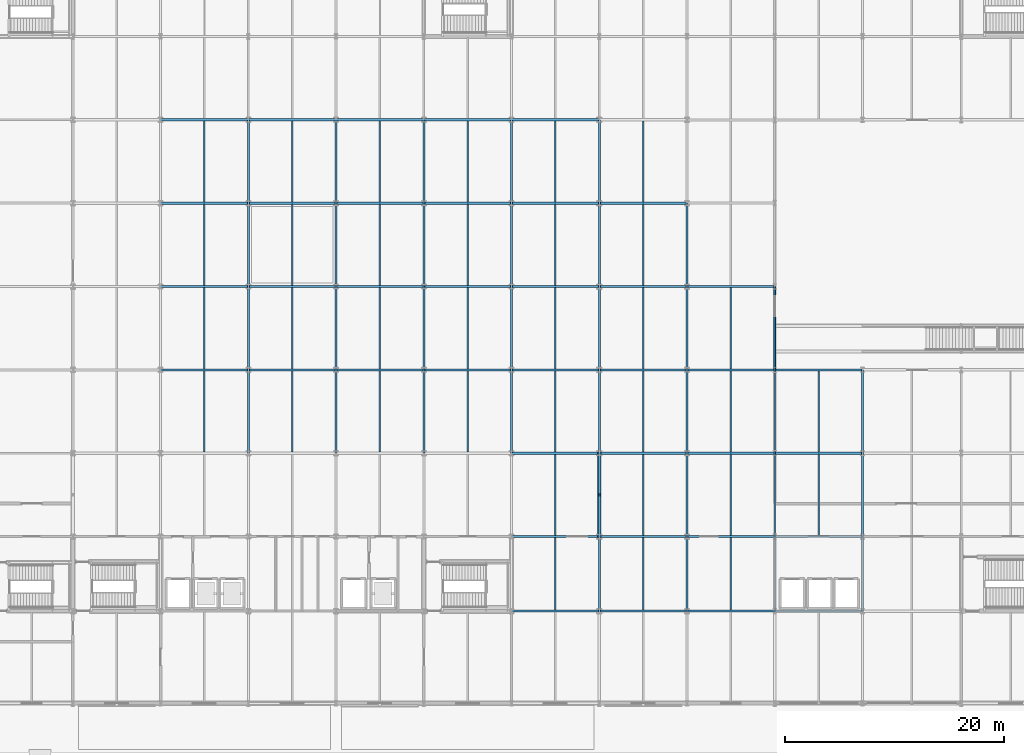
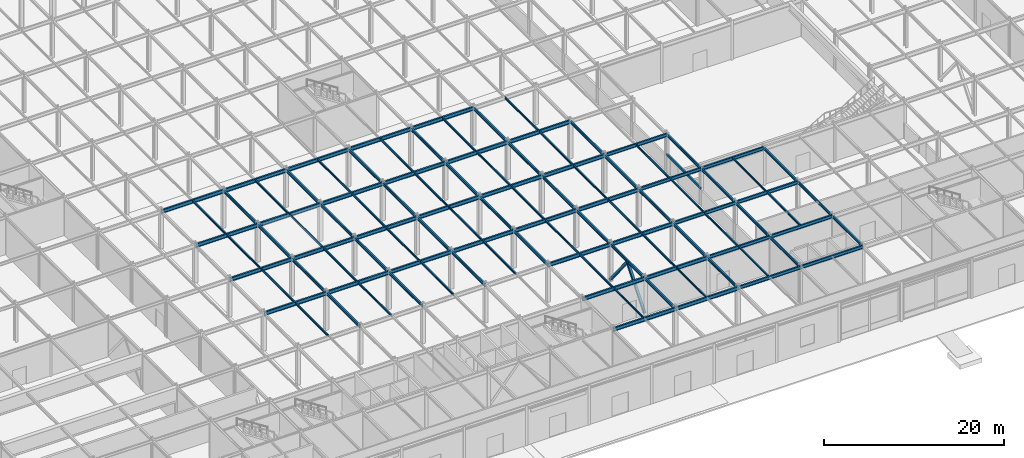
# One storey, part 27 of 89: 107 beams, 2 members.
"""IFC4 building model written with IfcOpenShell, lengths in metres."""

from ifc_helpers import new_model, si_unit, direction, frame, origin, origin_2d, place, context, subcontext, project, spatial, hollow_rectangle, i_section, extrude, material, material_profile, profile_set, type_object, element, save


model = new_model("IFC4")

# Units and contexts
model_context = context("Model", 3, precision=1e-05, world=origin(), true_north=direction((0.0, 1.0)))
body_context = subcontext(model_context, "Body", "Model", "MODEL_VIEW")
ifc_project = project(units=[si_unit("LENGTHUNIT", "METRE"), si_unit("AREAUNIT", "SQUARE_METRE"), si_unit("VOLUMEUNIT", "CUBIC_METRE"), si_unit("PLANEANGLEUNIT", "RADIAN"), si_unit("MASSUNIT", "GRAM", prefix="KILO")], contexts=[model_context])

# Site, building, storey
site_placement = place(None, origin())
site = spatial("IfcSite", under=ifc_project, at=site_placement, CompositionType="ELEMENT")
building_placement = place(site_placement, origin())
building = spatial("IfcBuilding", under=site, at=building_placement, Name="Shalkamar Park Central Library", CompositionType="ELEMENT")
storey_placement = place(building_placement, origin())
storey = spatial("IfcBuildingStorey", under=building, at=storey_placement, Name="L01", CompositionType="ELEMENT", Elevation=0.0)

# Beams
ifc_material = material(Name="Steel S355", Category="steel")
ifc_material_profile_1 = material_profile(ifc_material, i_section(OverallWidth=0.1201171875, OverallDepth=0.239990234375, WebThickness=0.006103515625, FlangeThickness=0.009765625, FilletRadius=0.014892578125, at=origin_2d()), Name="IPE 240")
ifc_profile_set_1 = profile_set([ifc_material_profile_1], Name="Steel S355")
beam_type_1 = type_object("IfcBeamType", Name="Composite Floor Joist IPE240", PredefinedType="JOIST", material=ifc_profile_set_1)
for number, where, z_axis, x_axis, name in (
    (1, (209.0, 248.498046875, 5.02001953125), (0.0, 1.0, 0.0), (-1.0, 0.0, 0.0), "Composite Joist 12/B-1 (L01)"),
    (2, (217.0, 248.498046875, 5.02001953125), (0.0, 1.0, 0.0), (-1.0, 0.0, 0.0), "Composite Joist 13/B-1 (L01)"),
):
    element("IfcBeam", number, at=place(storey_placement, frame(where, z_axis=z_axis, x_axis=x_axis)), inside=storey, type_object=beam_type_1, Name=name, PredefinedType="JOIST", context=body_context, shape_type="SweptSolid", body=[
        extrude(i_section(OverallWidth=0.1201171875, OverallDepth=0.239990234375, WebThickness=0.006103515625, FlangeThickness=0.009765625, FilletRadius=0.014892578125, at=origin_2d()), origin(), (0.0, 0.0, 1.0), 6.60400390625),
    ])
beam_1_placement = place(storey_placement, frame((225.0, 248.492919921875, 5.02001953125), z_axis=(0.0, 1.0, 0.0), x_axis=(-1.0, 0.0, 0.0)))
element("IfcBeam", 3, at=beam_1_placement, inside=storey, type_object=beam_type_1, Name="Composite Joist 14/B-1 (L01)", PredefinedType="JOIST", context=body_context, shape_type="SweptSolid", body=[
    extrude(i_section(OverallWidth=0.1201171875, OverallDepth=0.239990234375, WebThickness=0.006103515625, FlangeThickness=0.009765625, FilletRadius=0.014892578125, at=origin_2d()), origin(), (0.0, 0.0, 1.0), 6.614013671875),
])
for number, where, z_axis, x_axis, name in (
    (4, (225.0, 262.89306640625, 5.02001953125), (0.0, 1.0, 0.0), (-1.0, 0.0, 0.0), "Composite Joist 14/D-1 (L01)"),
    (5, (233.0, 262.89306640625, 5.02001953125), (0.0, 1.0, 0.0), (-1.0, 0.0, 0.0), "Composite Joist 15/D-1 (L01)"),
):
    element("IfcBeam", number, at=place(storey_placement, frame(where, z_axis=z_axis, x_axis=x_axis)), inside=storey, type_object=beam_type_1, Name=name, PredefinedType="JOIST", context=body_context, shape_type="SweptSolid", body=[
        extrude(i_section(OverallWidth=0.1201171875, OverallDepth=0.239990234375, WebThickness=0.006103515625, FlangeThickness=0.009765625, FilletRadius=0.014892578125, at=origin_2d()), origin(), (0.0, 0.0, 1.0), 7.413818359375),
    ])
ifc_material_profile_2 = material_profile(ifc_material, i_section(OverallWidth=0.135009765625, OverallDepth=0.27001953125, WebThickness=0.006591796875, FlangeThickness=0.01025390625, FilletRadius=0.014892578125, at=origin_2d()), Name="IPE 270")
ifc_profile_set_2 = profile_set([ifc_material_profile_2], Name="Steel S355")
beam_type_2 = type_object("IfcBeamType", Name="Composite Floor Joist IPE270", PredefinedType="JOIST", material=ifc_profile_set_2)
for number, where, z_axis, x_axis, name in (
    (6, (177.0, 262.89794921875, 5.0048828125), (0.0, 1.0, 0.0), (-1.0, 0.0, 0.0), "Composite Joist 08/D-1 (L01)"),
    (7, (177.0, 270.498046875, 5.0048828125), (0.0, 1.0, 0.0), (-1.0, 0.0, 0.0), "Composite Joist 08/E-1 (L01)"),
    (8, (177.0, 278.097900390625, 5.0048828125), (0.0, 1.0, 0.0), (-1.0, 0.0, 0.0), "Composite Joist 08/F-1 (L01)"),
    (9, (177.0, 285.697998046875, 5.0048828125), (0.0, 1.0, 0.0), (-1.0, 0.0, 0.0), "Composite Joist 08/G-1 (L01)"),
    (10, (185.0, 262.89794921875, 5.0048828125), (0.0, 1.0, 0.0), (-1.0, 0.0, 0.0), "Composite Joist 09/D-1 (L01)"),
    (11, (185.0, 270.498046875, 5.0048828125), (0.0, 1.0, 0.0), (-1.0, 0.0, 0.0), "Composite Joist 09/E-1 (L01)"),
    (12, (185.0, 278.097900390625, 5.0048828125), (0.0, 1.0, 0.0), (-1.0, 0.0, 0.0), "Composite Joist 09/F-1 (L01)"),
    (13, (185.0, 285.697998046875, 5.0048828125), (0.0, 1.0, 0.0), (-1.0, 0.0, 0.0), "Composite Joist 09/G-1 (L01)"),
    (14, (193.0, 262.89794921875, 5.0048828125), (0.0, 1.0, 0.0), (-1.0, 0.0, 0.0), "Composite Joist 10/D-1 (L01)"),
    (15, (193.0, 270.498046875, 5.0048828125), (0.0, 1.0, 0.0), (-1.0, 0.0, 0.0), "Composite Joist 10/E-1 (L01)"),
    (16, (193.0, 278.097900390625, 5.0048828125), (0.0, 1.0, 0.0), (-1.0, 0.0, 0.0), "Composite Joist 10/F-1 (L01)"),
    (17, (193.0, 285.697998046875, 5.0048828125), (0.0, 1.0, 0.0), (-1.0, 0.0, 0.0), "Composite Joist 10/G-1 (L01)"),
    (18, (201.0, 262.89794921875, 5.0048828125), (0.0, 1.0, 0.0), (-1.0, 0.0, 0.0), "Composite Joist 11/D-1 (L01)"),
    (19, (201.0, 270.498046875, 5.0048828125), (0.0, 1.0, 0.0), (-1.0, 0.0, 0.0), "Composite Joist 11/E-1 (L01)"),
    (20, (201.0, 278.097900390625, 5.0048828125), (0.0, 1.0, 0.0), (-1.0, 0.0, 0.0), "Composite Joist 11/F-1 (L01)"),
    (21, (201.0, 285.697998046875, 5.0048828125), (0.0, 1.0, 0.0), (-1.0, 0.0, 0.0), "Composite Joist 11/G-1 (L01)"),
):
    element("IfcBeam", number, at=place(storey_placement, frame(where, z_axis=z_axis, x_axis=x_axis)), inside=storey, type_object=beam_type_2, Name=name, PredefinedType="JOIST", context=body_context, shape_type="SweptSolid", body=[
        extrude(i_section(OverallWidth=0.135009765625, OverallDepth=0.27001953125, WebThickness=0.006591796875, FlangeThickness=0.01025390625, FilletRadius=0.014892578125, at=origin_2d()), origin(), (0.0, 0.0, 1.0), 7.404052734375),
    ])
beam_2_placement = place(storey_placement, frame((209.0, 255.298095703125, 5.0048828125), z_axis=(0.0, 1.0, 0.0), x_axis=(-1.0, 0.0, 0.0)))
element("IfcBeam", 22, at=beam_2_placement, inside=storey, type_object=beam_type_2, Name="Composite Joist 12/C-1 (L01)", PredefinedType="JOIST", context=body_context, shape_type="SweptSolid", body=[
    extrude(i_section(OverallWidth=0.135009765625, OverallDepth=0.27001953125, WebThickness=0.006591796875, FlangeThickness=0.01025390625, FilletRadius=0.014892578125, at=origin_2d()), origin(), (0.0, 0.0, 1.0), 7.40380859375),
])
for number, where, z_axis, x_axis, name in (
    (23, (209.0, 262.89794921875, 5.0048828125), (0.0, 1.0, 0.0), (-1.0, 0.0, 0.0), "Composite Joist 12/D-1 (L01)"),
    (24, (209.0, 270.498046875, 5.0048828125), (0.0, 1.0, 0.0), (-1.0, 0.0, 0.0), "Composite Joist 12/E-1 (L01)"),
    (25, (209.0, 278.097900390625, 5.0048828125), (0.0, 1.0, 0.0), (-1.0, 0.0, 0.0), "Composite Joist 12/F-1 (L01)"),
    (26, (209.0, 285.697998046875, 5.0048828125), (0.0, 1.0, 0.0), (-1.0, 0.0, 0.0), "Composite Joist 12/G-1 (L01)"),
):
    element("IfcBeam", number, at=place(storey_placement, frame(where, z_axis=z_axis, x_axis=x_axis)), inside=storey, type_object=beam_type_2, Name=name, PredefinedType="JOIST", context=body_context, shape_type="SweptSolid", body=[
        extrude(i_section(OverallWidth=0.135009765625, OverallDepth=0.27001953125, WebThickness=0.006591796875, FlangeThickness=0.01025390625, FilletRadius=0.014892578125, at=origin_2d()), origin(), (0.0, 0.0, 1.0), 7.404052734375),
    ])
beam_3_placement = place(storey_placement, frame((217.0, 255.298095703125, 5.0048828125), z_axis=(0.0, 1.0, 0.0), x_axis=(-1.0, 0.0, 0.0)))
element("IfcBeam", 27, at=beam_3_placement, inside=storey, type_object=beam_type_2, Name="Composite Joist 13/C-1 (L01)", PredefinedType="JOIST", context=body_context, shape_type="SweptSolid", body=[
    extrude(i_section(OverallWidth=0.135009765625, OverallDepth=0.27001953125, WebThickness=0.006591796875, FlangeThickness=0.01025390625, FilletRadius=0.014892578125, at=origin_2d()), origin(), (0.0, 0.0, 1.0), 7.40380859375),
])
for number, where, z_axis, x_axis, name in (
    (28, (217.0, 262.89794921875, 5.0048828125), (0.0, 1.0, 0.0), (-1.0, 0.0, 0.0), "Composite Joist 13/D-1 (L01)"),
    (29, (217.0, 270.498046875, 5.0048828125), (0.0, 1.0, 0.0), (-1.0, 0.0, 0.0), "Composite Joist 13/E-1 (L01)"),
    (30, (217.0, 278.097900390625, 5.0048828125), (0.0, 1.0, 0.0), (-1.0, 0.0, 0.0), "Composite Joist 13/F-1 (L01)"),
    (31, (217.0, 285.697998046875, 5.0048828125), (0.0, 1.0, 0.0), (-1.0, 0.0, 0.0), "Composite Joist 13/G-1 (L01)"),
):
    element("IfcBeam", number, at=place(storey_placement, frame(where, z_axis=z_axis, x_axis=x_axis)), inside=storey, type_object=beam_type_2, Name=name, PredefinedType="JOIST", context=body_context, shape_type="SweptSolid", body=[
        extrude(i_section(OverallWidth=0.135009765625, OverallDepth=0.27001953125, WebThickness=0.006591796875, FlangeThickness=0.01025390625, FilletRadius=0.014892578125, at=origin_2d()), origin(), (0.0, 0.0, 1.0), 7.404052734375),
    ])
for number, where, z_axis, x_axis, name in (
    (32, (225.0, 255.29296875, 5.0048828125), (0.0, 1.0, 0.0), (-1.0, 0.0, 0.0), "Composite Joist 14/C-1 (L01)"),
    (33, (225.0, 270.492919921875, 5.0048828125), (0.0, 1.0, 0.0), (-1.0, 0.0, 0.0), "Composite Joist 14/E-1 (L01)"),
    (34, (233.0, 255.29296875, 5.0048828125), (0.0, 1.0, 0.0), (-1.0, 0.0, 0.0), "Composite Joist 15/C-1 (L01)"),
):
    element("IfcBeam", number, at=place(storey_placement, frame(where, z_axis=z_axis, x_axis=x_axis)), inside=storey, type_object=beam_type_2, Name=name, PredefinedType="JOIST", context=body_context, shape_type="SweptSolid", body=[
        extrude(i_section(OverallWidth=0.135009765625, OverallDepth=0.27001953125, WebThickness=0.006591796875, FlangeThickness=0.01025390625, FilletRadius=0.014892578125, at=origin_2d()), origin(), (0.0, 0.0, 1.0), 7.4140625),
    ])

# Members
ifc_material_profile_3 = material_profile(ifc_material, hollow_rectangle(XDim=0.300048828125, YDim=0.300048828125, WallThickness=0.01611328125, InnerFilletRadius=0.01611328125, OuterFilletRadius=0.02392578125, at=origin_2d()), Name="SHS 300x300x16")
ifc_profile_set_3 = profile_set([ifc_material_profile_3], Name="Steel S355")
member_type = type_object("IfcMemberType", Name="Diagonal Brace SHS300", PredefinedType="BRACE", material=ifc_profile_set_3)
for number, where, z_axis, x_axis, name in (
    (35, (213.0, 255.199951171875, 0.14990234375), (0.0, 0.62952162091, 0.776982965583), (-1.0, 0.0, 0.0), "Chevron Brace TW-E Leg A (L01)"),
    (36, (213.0, 262.800048828125, 0.14990234375), (0.0, -0.62952162091, 0.776982965583), (1.0, 0.0, 0.0), "Chevron Brace TW-E Leg B (L01)"),
):
    element("IfcMember", number, at=place(storey_placement, frame(where, z_axis=z_axis, x_axis=x_axis)), inside=storey, type_object=member_type, Name=name, PredefinedType="BRACE", context=body_context, shape_type="SweptSolid", body=[
        extrude(hollow_rectangle(XDim=0.300048828125, YDim=0.300048828125, WallThickness=0.01611328125, InnerFilletRadius=0.01611328125, OuterFilletRadius=0.02392578125, at=origin_2d()), origin(), (0.0, 0.0, 1.0), 6.036376953125),
    ])

# Beams
ifc_material_profile_4 = material_profile(ifc_material, i_section(OverallWidth=0.169921875, OverallDepth=0.360107421875, WebThickness=0.008056640625, FlangeThickness=0.0126953125, FilletRadius=0.01806640625, at=origin_2d()), Name="IPE 360")
ifc_profile_set_4 = profile_set([ifc_material_profile_4], Name="Steel S355")
beam_type_3 = type_object("IfcBeamType", Name="Primary Girder IPE360", PredefinedType="BEAM", material=ifc_profile_set_4)
beam_4_placement = place(storey_placement, frame((229.0, 248.39990234375, 4.9599609375), z_axis=(0.0, 1.0, 0.0), x_axis=(-1.0, 0.0, 0.0)))
element("IfcBeam", 37, at=beam_4_placement, inside=storey, type_object=beam_type_3, Name="Beam 15:B-C (L01)", PredefinedType="BEAM", context=body_context, shape_type="SweptSolid", body=[
    extrude(i_section(OverallWidth=0.169921875, OverallDepth=0.360107421875, WebThickness=0.008056640625, FlangeThickness=0.0126953125, FilletRadius=0.01806640625, at=origin_2d()), origin(), (0.0, 0.0, 1.0), 6.800048828125),
])
beam_5_placement = place(storey_placement, frame((229.0, 255.199951171875, 4.9599609375), z_axis=(0.0, 1.0, 0.0), x_axis=(-1.0, 0.0, 0.0)))
element("IfcBeam", 38, at=beam_5_placement, inside=storey, type_object=beam_type_3, Name="Beam 15:C-D (L01)", PredefinedType="BEAM", context=body_context, shape_type="SweptSolid", body=[
    extrude(i_section(OverallWidth=0.169921875, OverallDepth=0.360107421875, WebThickness=0.008056640625, FlangeThickness=0.0126953125, FilletRadius=0.01806640625, at=origin_2d()), origin(), (0.0, 0.0, 1.0), 7.60009765625),
])
beam_6_placement = place(storey_placement, frame((229.0, 262.800048828125, 4.9599609375), z_axis=(0.0, 1.0, 0.0), x_axis=(-1.0, 0.0, 0.0)))
element("IfcBeam", 39, at=beam_6_placement, inside=storey, type_object=beam_type_3, Name="Beam 15:D-E (L01)", PredefinedType="BEAM", context=body_context, shape_type="SweptSolid", body=[
    extrude(i_section(OverallWidth=0.169921875, OverallDepth=0.360107421875, WebThickness=0.008056640625, FlangeThickness=0.0126953125, FilletRadius=0.01806640625, at=origin_2d()), origin(), (0.0, 0.0, 1.0), 7.599853515625),
])
beam_7_placement = place(storey_placement, frame((229.0, 270.39990234375, 4.9599609375), z_axis=(0.0, 1.0, 0.0), x_axis=(-1.0, 0.0, 0.0)))
element("IfcBeam", 40, at=beam_7_placement, inside=storey, type_object=beam_type_3, Name="Beam 15:E-F (L01)", PredefinedType="BEAM", context=body_context, shape_type="SweptSolid", body=[
    extrude(i_section(OverallWidth=0.169921875, OverallDepth=0.360107421875, WebThickness=0.008056640625, FlangeThickness=0.0126953125, FilletRadius=0.01806640625, at=origin_2d()), origin(), (0.0, 0.0, 1.0), 7.60009765625),
])
beam_8_placement = place(storey_placement, frame((237.0, 248.39990234375, 4.9599609375), z_axis=(0.0, 1.0, 0.0), x_axis=(-1.0, 0.0, 0.0)))
element("IfcBeam", 41, at=beam_8_placement, inside=storey, type_object=beam_type_3, Name="Beam 16:B-C (L01)", PredefinedType="BEAM", context=body_context, shape_type="SweptSolid", body=[
    extrude(i_section(OverallWidth=0.169921875, OverallDepth=0.360107421875, WebThickness=0.008056640625, FlangeThickness=0.0126953125, FilletRadius=0.01806640625, at=origin_2d()), origin(), (0.0, 0.0, 1.0), 6.800048828125),
])
beam_9_placement = place(storey_placement, frame((237.0, 255.199951171875, 4.9599609375), z_axis=(0.0, 1.0, 0.0), x_axis=(-1.0, 0.0, 0.0)))
element("IfcBeam", 42, at=beam_9_placement, inside=storey, type_object=beam_type_3, Name="Beam 16:C-D (L01)", PredefinedType="BEAM", context=body_context, shape_type="SweptSolid", body=[
    extrude(i_section(OverallWidth=0.169921875, OverallDepth=0.360107421875, WebThickness=0.008056640625, FlangeThickness=0.0126953125, FilletRadius=0.01806640625, at=origin_2d()), origin(), (0.0, 0.0, 1.0), 7.60009765625),
])
beam_10_placement = place(storey_placement, frame((237.0, 262.800048828125, 4.9599609375), z_axis=(0.0, 1.0, 0.0), x_axis=(-1.0, 0.0, 0.0)))
element("IfcBeam", 43, at=beam_10_placement, inside=storey, type_object=beam_type_3, Name="Beam 16:D-E (L01)", PredefinedType="BEAM", context=body_context, shape_type="SweptSolid", body=[
    extrude(i_section(OverallWidth=0.169921875, OverallDepth=0.360107421875, WebThickness=0.008056640625, FlangeThickness=0.0126953125, FilletRadius=0.01806640625, at=origin_2d()), origin(), (0.0, 0.0, 1.0), 7.599853515625),
])
ifc_material_profile_5 = material_profile(ifc_material, i_section(OverallWidth=0.179931640625, OverallDepth=0.39990234375, WebThickness=0.008544921875, FlangeThickness=0.013427734375, FilletRadius=0.02099609375, at=origin_2d()), Name="IPE 400")
ifc_profile_set_5 = profile_set([ifc_material_profile_5], Name="Steel S355")
beam_type_4 = type_object("IfcBeamType", Name="Primary Girder IPE400", PredefinedType="BEAM", material=ifc_profile_set_5)
beam_11_placement = place(storey_placement, frame((181.0, 262.800048828125, 4.93994140625), z_axis=(0.0, 1.0, 0.0), x_axis=(-1.0, 0.0, 0.0)))
element("IfcBeam", 44, at=beam_11_placement, inside=storey, type_object=beam_type_4, Name="Beam 09:D-E (L01)", PredefinedType="BEAM", context=body_context, shape_type="SweptSolid", body=[
    extrude(i_section(OverallWidth=0.179931640625, OverallDepth=0.39990234375, WebThickness=0.008544921875, FlangeThickness=0.013427734375, FilletRadius=0.02099609375, at=origin_2d()), origin(), (0.0, 0.0, 1.0), 7.599853515625),
])
for number, where, z_axis, x_axis, name in (
    (45, (181.0, 270.39990234375, 4.93994140625), (0.0, 1.0, 0.0), (-1.0, 0.0, 0.0), "Beam 09:E-F (L01)"),
    (46, (181.0, 278.0, 4.93994140625), (0.0, 1.0, 0.0), (-1.0, 0.0, 0.0), "Beam 09:F-G (L01)"),
):
    element("IfcBeam", number, at=place(storey_placement, frame(where, z_axis=z_axis, x_axis=x_axis)), inside=storey, type_object=beam_type_4, Name=name, PredefinedType="BEAM", context=body_context, shape_type="SweptSolid", body=[
        extrude(i_section(OverallWidth=0.179931640625, OverallDepth=0.39990234375, WebThickness=0.008544921875, FlangeThickness=0.013427734375, FilletRadius=0.02099609375, at=origin_2d()), origin(), (0.0, 0.0, 1.0), 7.60009765625),
    ])
for number, where, z_axis, x_axis, name in (
    (47, (181.0, 285.60009765625, 4.93994140625), (0.0, 1.0, 0.0), (-1.0, 0.0, 0.0), "Beam 09:G-H (L01)"),
    (48, (189.0, 262.800048828125, 4.93994140625), (0.0, 1.0, 0.0), (-1.0, 0.0, 0.0), "Beam 10:D-E (L01)"),
):
    element("IfcBeam", number, at=place(storey_placement, frame(where, z_axis=z_axis, x_axis=x_axis)), inside=storey, type_object=beam_type_4, Name=name, PredefinedType="BEAM", context=body_context, shape_type="SweptSolid", body=[
        extrude(i_section(OverallWidth=0.179931640625, OverallDepth=0.39990234375, WebThickness=0.008544921875, FlangeThickness=0.013427734375, FilletRadius=0.02099609375, at=origin_2d()), origin(), (0.0, 0.0, 1.0), 7.599853515625),
    ])
for number, where, z_axis, x_axis, name in (
    (49, (189.0, 270.39990234375, 4.93994140625), (0.0, 1.0, 0.0), (-1.0, 0.0, 0.0), "Beam 10:E-F (L01)"),
    (50, (189.0, 278.0, 4.93994140625), (0.0, 1.0, 0.0), (-1.0, 0.0, 0.0), "Beam 10:F-G (L01)"),
):
    element("IfcBeam", number, at=place(storey_placement, frame(where, z_axis=z_axis, x_axis=x_axis)), inside=storey, type_object=beam_type_4, Name=name, PredefinedType="BEAM", context=body_context, shape_type="SweptSolid", body=[
        extrude(i_section(OverallWidth=0.179931640625, OverallDepth=0.39990234375, WebThickness=0.008544921875, FlangeThickness=0.013427734375, FilletRadius=0.02099609375, at=origin_2d()), origin(), (0.0, 0.0, 1.0), 7.60009765625),
    ])
for number, where, z_axis, x_axis, name in (
    (51, (189.0, 285.60009765625, 4.93994140625), (0.0, 1.0, 0.0), (-1.0, 0.0, 0.0), "Beam 10:G-H (L01)"),
    (52, (197.0, 262.800048828125, 4.93994140625), (0.0, 1.0, 0.0), (-1.0, 0.0, 0.0), "Beam 11:D-E (L01)"),
):
    element("IfcBeam", number, at=place(storey_placement, frame(where, z_axis=z_axis, x_axis=x_axis)), inside=storey, type_object=beam_type_4, Name=name, PredefinedType="BEAM", context=body_context, shape_type="SweptSolid", body=[
        extrude(i_section(OverallWidth=0.179931640625, OverallDepth=0.39990234375, WebThickness=0.008544921875, FlangeThickness=0.013427734375, FilletRadius=0.02099609375, at=origin_2d()), origin(), (0.0, 0.0, 1.0), 7.599853515625),
    ])
for number, where, z_axis, x_axis, name in (
    (53, (197.0, 270.39990234375, 4.93994140625), (0.0, 1.0, 0.0), (-1.0, 0.0, 0.0), "Beam 11:E-F (L01)"),
    (54, (197.0, 278.0, 4.93994140625), (0.0, 1.0, 0.0), (-1.0, 0.0, 0.0), "Beam 11:F-G (L01)"),
):
    element("IfcBeam", number, at=place(storey_placement, frame(where, z_axis=z_axis, x_axis=x_axis)), inside=storey, type_object=beam_type_4, Name=name, PredefinedType="BEAM", context=body_context, shape_type="SweptSolid", body=[
        extrude(i_section(OverallWidth=0.179931640625, OverallDepth=0.39990234375, WebThickness=0.008544921875, FlangeThickness=0.013427734375, FilletRadius=0.02099609375, at=origin_2d()), origin(), (0.0, 0.0, 1.0), 7.60009765625),
    ])
for number, where, z_axis, x_axis, name in (
    (55, (197.0, 285.60009765625, 4.93994140625), (0.0, 1.0, 0.0), (-1.0, 0.0, 0.0), "Beam 11:G-H (L01)"),
    (56, (205.0, 262.800048828125, 4.93994140625), (0.0, 1.0, 0.0), (-1.0, 0.0, 0.0), "Beam 12:D-E (L01)"),
):
    element("IfcBeam", number, at=place(storey_placement, frame(where, z_axis=z_axis, x_axis=x_axis)), inside=storey, type_object=beam_type_4, Name=name, PredefinedType="BEAM", context=body_context, shape_type="SweptSolid", body=[
        extrude(i_section(OverallWidth=0.179931640625, OverallDepth=0.39990234375, WebThickness=0.008544921875, FlangeThickness=0.013427734375, FilletRadius=0.02099609375, at=origin_2d()), origin(), (0.0, 0.0, 1.0), 7.599853515625),
    ])
for number, where, z_axis, x_axis, name in (
    (57, (205.0, 270.39990234375, 4.93994140625), (0.0, 1.0, 0.0), (-1.0, 0.0, 0.0), "Beam 12:E-F (L01)"),
    (58, (205.0, 278.0, 4.93994140625), (0.0, 1.0, 0.0), (-1.0, 0.0, 0.0), "Beam 12:F-G (L01)"),
):
    element("IfcBeam", number, at=place(storey_placement, frame(where, z_axis=z_axis, x_axis=x_axis)), inside=storey, type_object=beam_type_4, Name=name, PredefinedType="BEAM", context=body_context, shape_type="SweptSolid", body=[
        extrude(i_section(OverallWidth=0.179931640625, OverallDepth=0.39990234375, WebThickness=0.008544921875, FlangeThickness=0.013427734375, FilletRadius=0.02099609375, at=origin_2d()), origin(), (0.0, 0.0, 1.0), 7.60009765625),
    ])
beam_12_placement = place(storey_placement, frame((205.0, 285.60009765625, 4.93994140625), z_axis=(0.0, 1.0, 0.0), x_axis=(-1.0, 0.0, 0.0)))
element("IfcBeam", 59, at=beam_12_placement, inside=storey, type_object=beam_type_4, Name="Beam 12:G-H (L01)", PredefinedType="BEAM", context=body_context, shape_type="SweptSolid", body=[
    extrude(i_section(OverallWidth=0.179931640625, OverallDepth=0.39990234375, WebThickness=0.008544921875, FlangeThickness=0.013427734375, FilletRadius=0.02099609375, at=origin_2d()), origin(), (0.0, 0.0, 1.0), 7.599853515625),
])
beam_13_placement = place(storey_placement, frame((213.0, 248.39990234375, 4.93994140625), z_axis=(0.0, 1.0, 0.0), x_axis=(-1.0, 0.0, 0.0)))
element("IfcBeam", 60, at=beam_13_placement, inside=storey, type_object=beam_type_4, Name="Beam 13:B-C (L01)", PredefinedType="BEAM", context=body_context, shape_type="SweptSolid", body=[
    extrude(i_section(OverallWidth=0.179931640625, OverallDepth=0.39990234375, WebThickness=0.008544921875, FlangeThickness=0.013427734375, FilletRadius=0.02099609375, at=origin_2d()), origin(), (0.0, 0.0, 1.0), 6.800048828125),
])
beam_14_placement = place(storey_placement, frame((213.0, 255.199951171875, 4.93994140625), z_axis=(0.0, 1.0, 0.0), x_axis=(-1.0, 0.0, 0.0)))
element("IfcBeam", 61, at=beam_14_placement, inside=storey, type_object=beam_type_4, Name="Beam 13:C-D (L01)", PredefinedType="BEAM", context=body_context, shape_type="SweptSolid", body=[
    extrude(i_section(OverallWidth=0.179931640625, OverallDepth=0.39990234375, WebThickness=0.008544921875, FlangeThickness=0.013427734375, FilletRadius=0.02099609375, at=origin_2d()), origin(), (0.0, 0.0, 1.0), 7.60009765625),
])
beam_15_placement = place(storey_placement, frame((213.0, 262.800048828125, 4.93994140625), z_axis=(0.0, 1.0, 0.0), x_axis=(-1.0, 0.0, 0.0)))
element("IfcBeam", 62, at=beam_15_placement, inside=storey, type_object=beam_type_4, Name="Beam 13:D-E (L01)", PredefinedType="BEAM", context=body_context, shape_type="SweptSolid", body=[
    extrude(i_section(OverallWidth=0.179931640625, OverallDepth=0.39990234375, WebThickness=0.008544921875, FlangeThickness=0.013427734375, FilletRadius=0.02099609375, at=origin_2d()), origin(), (0.0, 0.0, 1.0), 7.599853515625),
])
for number, where, z_axis, x_axis, name in (
    (63, (213.0, 270.39990234375, 4.93994140625), (0.0, 1.0, 0.0), (-1.0, 0.0, 0.0), "Beam 13:E-F (L01)"),
    (64, (213.0, 278.0, 4.93994140625), (0.0, 1.0, 0.0), (-1.0, 0.0, 0.0), "Beam 13:F-G (L01)"),
):
    element("IfcBeam", number, at=place(storey_placement, frame(where, z_axis=z_axis, x_axis=x_axis)), inside=storey, type_object=beam_type_4, Name=name, PredefinedType="BEAM", context=body_context, shape_type="SweptSolid", body=[
        extrude(i_section(OverallWidth=0.179931640625, OverallDepth=0.39990234375, WebThickness=0.008544921875, FlangeThickness=0.013427734375, FilletRadius=0.02099609375, at=origin_2d()), origin(), (0.0, 0.0, 1.0), 7.60009765625),
    ])
beam_16_placement = place(storey_placement, frame((213.0, 285.60009765625, 4.93994140625), z_axis=(0.0, 1.0, 0.0), x_axis=(-1.0, 0.0, 0.0)))
element("IfcBeam", 65, at=beam_16_placement, inside=storey, type_object=beam_type_4, Name="Beam 13:G-H (L01)", PredefinedType="BEAM", context=body_context, shape_type="SweptSolid", body=[
    extrude(i_section(OverallWidth=0.179931640625, OverallDepth=0.39990234375, WebThickness=0.008544921875, FlangeThickness=0.013427734375, FilletRadius=0.02099609375, at=origin_2d()), origin(), (0.0, 0.0, 1.0), 7.599853515625),
])
beam_17_placement = place(storey_placement, frame((221.0, 248.39990234375, 4.93994140625), z_axis=(0.0, 1.0, 0.0), x_axis=(-1.0, 0.0, 0.0)))
element("IfcBeam", 66, at=beam_17_placement, inside=storey, type_object=beam_type_4, Name="Beam 14:B-C (L01)", PredefinedType="BEAM", context=body_context, shape_type="SweptSolid", body=[
    extrude(i_section(OverallWidth=0.179931640625, OverallDepth=0.39990234375, WebThickness=0.008544921875, FlangeThickness=0.013427734375, FilletRadius=0.02099609375, at=origin_2d()), origin(), (0.0, 0.0, 1.0), 6.800048828125),
])
beam_18_placement = place(storey_placement, frame((221.0, 255.199951171875, 4.93994140625), z_axis=(0.0, 1.0, 0.0), x_axis=(-1.0, 0.0, 0.0)))
element("IfcBeam", 67, at=beam_18_placement, inside=storey, type_object=beam_type_4, Name="Beam 14:C-D (L01)", PredefinedType="BEAM", context=body_context, shape_type="SweptSolid", body=[
    extrude(i_section(OverallWidth=0.179931640625, OverallDepth=0.39990234375, WebThickness=0.008544921875, FlangeThickness=0.013427734375, FilletRadius=0.02099609375, at=origin_2d()), origin(), (0.0, 0.0, 1.0), 7.60009765625),
])
beam_19_placement = place(storey_placement, frame((221.0, 262.800048828125, 4.93994140625), z_axis=(0.0, 1.0, 0.0), x_axis=(-1.0, 0.0, 0.0)))
element("IfcBeam", 68, at=beam_19_placement, inside=storey, type_object=beam_type_4, Name="Beam 14:D-E (L01)", PredefinedType="BEAM", context=body_context, shape_type="SweptSolid", body=[
    extrude(i_section(OverallWidth=0.179931640625, OverallDepth=0.39990234375, WebThickness=0.008544921875, FlangeThickness=0.013427734375, FilletRadius=0.02099609375, at=origin_2d()), origin(), (0.0, 0.0, 1.0), 7.599853515625),
])
for number, where, z_axis, x_axis, name in (
    (69, (221.0, 270.39990234375, 4.93994140625), (0.0, 1.0, 0.0), (-1.0, 0.0, 0.0), "Beam 14:E-F (L01)"),
    (70, (221.0, 278.0, 4.93994140625), (0.0, 1.0, 0.0), (-1.0, 0.0, 0.0), "Beam 14:F-G (L01)"),
):
    element("IfcBeam", number, at=place(storey_placement, frame(where, z_axis=z_axis, x_axis=x_axis)), inside=storey, type_object=beam_type_4, Name=name, PredefinedType="BEAM", context=body_context, shape_type="SweptSolid", body=[
        extrude(i_section(OverallWidth=0.179931640625, OverallDepth=0.39990234375, WebThickness=0.008544921875, FlangeThickness=0.013427734375, FilletRadius=0.02099609375, at=origin_2d()), origin(), (0.0, 0.0, 1.0), 7.60009765625),
    ])
ifc_material_profile_6 = material_profile(ifc_material, i_section(OverallWidth=0.18994140625, OverallDepth=0.449951171875, WebThickness=0.009521484375, FlangeThickness=0.0146484375, FilletRadius=0.02099609375, at=origin_2d()), Name="IPE 450")
ifc_profile_set_6 = profile_set([ifc_material_profile_6], Name="Steel S355")
beam_type_5 = type_object("IfcBeamType", Name="Primary Girder IPE450", PredefinedType="BEAM", material=ifc_profile_set_6)
for number, where, z_axis, x_axis, name in (
    (71, (221.0, 248.39990234375, 4.9150390625), (1.0, 0.0, 0.0), (0.0, 1.0, 0.0), "Beam B:14-15 (L01)"),
    (72, (229.0, 248.39990234375, 4.9150390625), (1.0, 0.0, 0.0), (0.0, 1.0, 0.0), "Beam B:15-16 (L01)"),
    (73, (221.0, 255.199951171875, 4.9150390625), (1.0, 0.0, 0.0), (0.0, 1.0, 0.0), "Beam C:14-15 (L01)"),
    (74, (229.0, 255.199951171875, 4.9150390625), (1.0, 0.0, 0.0), (0.0, 1.0, 0.0), "Beam C:15-16 (L01)"),
    (75, (221.0, 262.800048828125, 4.9150390625), (1.0, 0.0, 0.0), (0.0, 1.0, 0.0), "Beam D:14-15 (L01)"),
    (76, (229.0, 262.800048828125, 4.9150390625), (1.0, 0.0, 0.0), (0.0, 1.0, 0.0), "Beam D:15-16 (L01)"),
    (77, (221.0, 270.39990234375, 4.9150390625), (1.0, 0.0, 0.0), (0.0, 1.0, 0.0), "Beam E:14-15 (L01)"),
    (78, (229.0, 270.39990234375, 4.9150390625), (1.0, 0.0, 0.0), (0.0, 1.0, 0.0), "Beam E:15-16 (L01)"),
    (79, (221.0, 278.0, 4.9150390625), (1.0, 0.0, 0.0), (0.0, 1.0, 0.0), "Beam F:14-15 (L01)"),
):
    element("IfcBeam", number, at=place(storey_placement, frame(where, z_axis=z_axis, x_axis=x_axis)), inside=storey, type_object=beam_type_5, Name=name, PredefinedType="BEAM", context=body_context, shape_type="SweptSolid", body=[
        extrude(i_section(OverallWidth=0.18994140625, OverallDepth=0.449951171875, WebThickness=0.009521484375, FlangeThickness=0.0146484375, FilletRadius=0.02099609375, at=origin_2d()), origin(), (0.0, 0.0, 1.0), 8.0),
    ])
ifc_material_profile_7 = material_profile(ifc_material, i_section(OverallWidth=0.199951171875, OverallDepth=0.5, WebThickness=0.01025390625, FlangeThickness=0.01611328125, FilletRadius=0.02099609375, at=origin_2d()), Name="IPE 500")
ifc_profile_set_7 = profile_set([ifc_material_profile_7], Name="Steel S355")
beam_type_6 = type_object("IfcBeamType", Name="Primary Girder IPE500", PredefinedType="BEAM", material=ifc_profile_set_7)
for number, where, z_axis, x_axis, name in (
    (80, (205.0, 248.39990234375, 4.889892578125), (1.0, 0.0, 0.0), (0.0, 1.0, 0.0), "Beam B:12-13 (L01)"),
    (81, (213.0, 248.39990234375, 4.889892578125), (1.0, 0.0, 0.0), (0.0, 1.0, 0.0), "Beam B:13-14 (L01)"),
    (82, (205.0, 255.199951171875, 4.889892578125), (1.0, 0.0, 0.0), (0.0, 1.0, 0.0), "Beam C:12-13 (L01)"),
    (83, (213.0, 255.199951171875, 4.889892578125), (1.0, 0.0, 0.0), (0.0, 1.0, 0.0), "Beam C:13-14 (L01)"),
    (84, (205.0, 262.800048828125, 4.889892578125), (1.0, 0.0, 0.0), (0.0, 1.0, 0.0), "Beam D:12-13 (L01)"),
    (85, (213.0, 262.800048828125, 4.889892578125), (1.0, 0.0, 0.0), (0.0, 1.0, 0.0), "Beam D:13-14 (L01)"),
    (86, (173.0, 270.39990234375, 4.889892578125), (1.0, 0.0, 0.0), (0.0, 1.0, 0.0), "Beam E:08-09 (L01)"),
    (87, (181.0, 270.39990234375, 4.889892578125), (1.0, 0.0, 0.0), (0.0, 1.0, 0.0), "Beam E:09-10 (L01)"),
    (88, (189.0, 270.39990234375, 4.889892578125), (1.0, 0.0, 0.0), (0.0, 1.0, 0.0), "Beam E:10-11 (L01)"),
    (89, (197.0, 270.39990234375, 4.889892578125), (1.0, 0.0, 0.0), (0.0, 1.0, 0.0), "Beam E:11-12 (L01)"),
    (90, (205.0, 270.39990234375, 4.889892578125), (1.0, 0.0, 0.0), (0.0, 1.0, 0.0), "Beam E:12-13 (L01)"),
    (91, (213.0, 270.39990234375, 4.889892578125), (1.0, 0.0, 0.0), (0.0, 1.0, 0.0), "Beam E:13-14 (L01)"),
    (92, (173.0, 278.0, 4.889892578125), (1.0, 0.0, 0.0), (0.0, 1.0, 0.0), "Beam F:08-09 (L01)"),
    (93, (181.0, 278.0, 4.889892578125), (1.0, 0.0, 0.0), (0.0, 1.0, 0.0), "Beam F:09-10 (L01)"),
    (94, (189.0, 278.0, 4.889892578125), (1.0, 0.0, 0.0), (0.0, 1.0, 0.0), "Beam F:10-11 (L01)"),
    (95, (197.0, 278.0, 4.889892578125), (1.0, 0.0, 0.0), (0.0, 1.0, 0.0), "Beam F:11-12 (L01)"),
    (96, (205.0, 278.0, 4.889892578125), (1.0, 0.0, 0.0), (0.0, 1.0, 0.0), "Beam F:12-13 (L01)"),
    (97, (213.0, 278.0, 4.889892578125), (1.0, 0.0, 0.0), (0.0, 1.0, 0.0), "Beam F:13-14 (L01)"),
    (98, (173.0, 285.60009765625, 4.889892578125), (1.0, 0.0, 0.0), (0.0, 1.0, 0.0), "Beam G:08-09 (L01)"),
    (99, (181.0, 285.60009765625, 4.889892578125), (1.0, 0.0, 0.0), (0.0, 1.0, 0.0), "Beam G:09-10 (L01)"),
    (100, (189.0, 285.60009765625, 4.889892578125), (1.0, 0.0, 0.0), (0.0, 1.0, 0.0), "Beam G:10-11 (L01)"),
    (101, (197.0, 285.60009765625, 4.889892578125), (1.0, 0.0, 0.0), (0.0, 1.0, 0.0), "Beam G:11-12 (L01)"),
    (102, (205.0, 285.60009765625, 4.889892578125), (1.0, 0.0, 0.0), (0.0, 1.0, 0.0), "Beam G:12-13 (L01)"),
    (103, (213.0, 285.60009765625, 4.889892578125), (1.0, 0.0, 0.0), (0.0, 1.0, 0.0), "Beam G:13-14 (L01)"),
    (104, (173.0, 293.199951171875, 4.889892578125), (1.0, 0.0, 0.0), (0.0, 1.0, 0.0), "Beam H:08-09 (L01)"),
    (105, (181.0, 293.199951171875, 4.889892578125), (1.0, 0.0, 0.0), (0.0, 1.0, 0.0), "Beam H:09-10 (L01)"),
    (106, (189.0, 293.199951171875, 4.889892578125), (1.0, 0.0, 0.0), (0.0, 1.0, 0.0), "Beam H:10-11 (L01)"),
    (107, (197.0, 293.199951171875, 4.889892578125), (1.0, 0.0, 0.0), (0.0, 1.0, 0.0), "Beam H:11-12 (L01)"),
    (108, (205.0, 293.199951171875, 4.889892578125), (1.0, 0.0, 0.0), (0.0, 1.0, 0.0), "Beam H:12-13 (L01)"),
):
    element("IfcBeam", number, at=place(storey_placement, frame(where, z_axis=z_axis, x_axis=x_axis)), inside=storey, type_object=beam_type_6, Name=name, PredefinedType="BEAM", context=body_context, shape_type="SweptSolid", body=[
        extrude(i_section(OverallWidth=0.199951171875, OverallDepth=0.5, WebThickness=0.01025390625, FlangeThickness=0.01611328125, FilletRadius=0.02099609375, at=origin_2d()), origin(), (0.0, 0.0, 1.0), 8.0),
    ])
ifc_material_profile_8 = material_profile(ifc_material, hollow_rectangle(XDim=0.199951171875, YDim=0.300048828125, WallThickness=0.011962890625, InnerFilletRadius=0.011962890625, OuterFilletRadius=0.01806640625, at=origin_2d()), Name="RHS 300x200x12")
ifc_profile_set_8 = profile_set([ifc_material_profile_8], Name="Steel S355")
beam_type_7 = type_object("IfcBeamType", Name="Stair Trimmer Box RHS300x200", PredefinedType="BEAM", material=ifc_profile_set_8)
beam_20_placement = place(storey_placement, frame((229.0, 270.39990234375, 2.27001953125), z_axis=(0.0, 1.0, 0.0), x_axis=(-1.0, 0.0, 0.0)))
element("IfcBeam", 109, at=beam_20_placement, inside=storey, type_object=beam_type_7, Name="Atrium Stair ST-A1 End Header W", PredefinedType="BEAM", context=body_context, shape_type="SweptSolid", body=[
    extrude(hollow_rectangle(XDim=0.199951171875, YDim=0.300048828125, WallThickness=0.011962890625, InnerFilletRadius=0.011962890625, OuterFilletRadius=0.01806640625, at=origin_2d()), origin(), (0.0, 0.0, 1.0), 7.60009765625),
])

save(model, "model.ifc")
